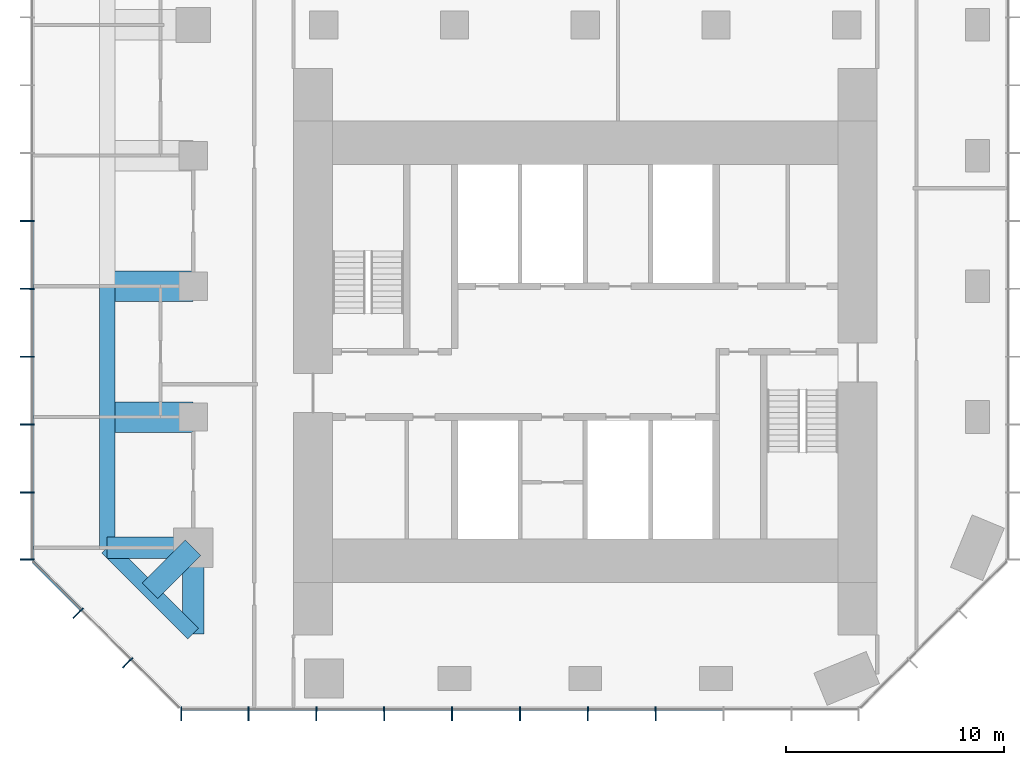
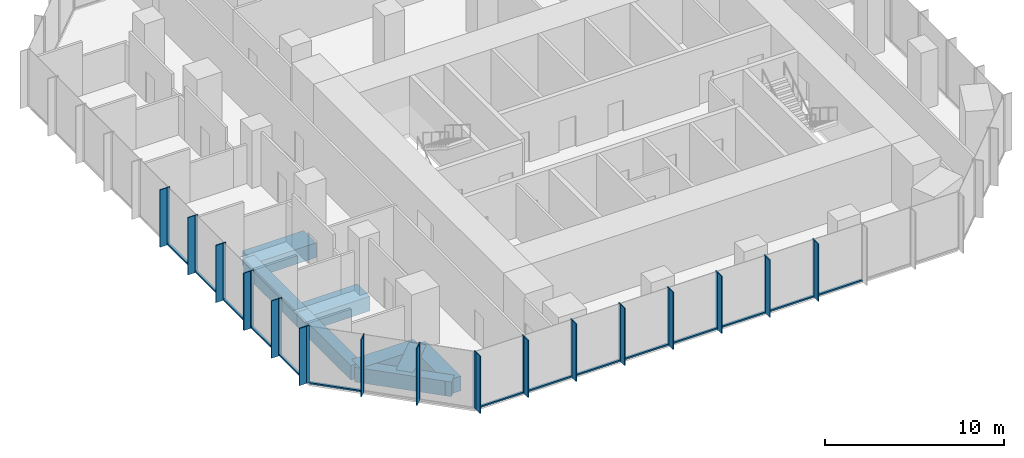
# One storey, part 2 of 11: 46 members, 8 beams, 3 elements without a shape of their own.
"""IFC4 building model written with IfcOpenShell, lengths in metres."""

from ifc_helpers import new_model, si_unit, direction, frame, origin, origin_2d, place, context, subcontext, project, spatial, rectangle, extrude, material, layer, layer_set, material_profile, profile_set, type_object, element, aggregate, save


model = new_model("IFC4")

# Units and contexts
model_context = context("Model", 3, precision=1e-05, world=origin(), true_north=direction((0.0, 1.0)))
body_context = subcontext(model_context, "Body", "Model", "MODEL_VIEW")
ifc_project = project(units=[si_unit("LENGTHUNIT", "METRE"), si_unit("AREAUNIT", "SQUARE_METRE"), si_unit("VOLUMEUNIT", "CUBIC_METRE"), si_unit("PLANEANGLEUNIT", "RADIAN"), si_unit("MASSUNIT", "GRAM", prefix="KILO")], contexts=[model_context])

# Site, building, storey
site_placement = place(None, origin())
site = spatial("IfcSite", under=ifc_project, at=site_placement, CompositionType="ELEMENT")
building_placement = place(site_placement, origin())
building = spatial("IfcBuilding", under=site, at=building_placement, Name="Highveld Stack Headquarters", CompositionType="ELEMENT")
storey_placement = place(building_placement, frame((0.0, 0.0, 196.699951171875)))
storey = spatial("IfcBuildingStorey", under=building, at=storey_placement, Name="L48", CompositionType="ELEMENT", Elevation=196.699951171875)

# Beams
ifc_material_1 = material(Name="Concrete C60/75", Category="concrete")
ifc_material_profile_1 = material_profile(ifc_material_1, rectangle(XDim=1.0, YDim=1.0, at=origin_2d()), Name="RC 1000x1000")
ifc_profile_set_1 = profile_set([ifc_material_profile_1], Name="Concrete C60/75")
beam_type_1 = type_object("IfcBeamType", Name="CANTILEVER RIB RC 1000x1000", PredefinedType="USERDEFINED", material=ifc_profile_set_1)
for number, where, z_axis, x_axis, name in (
    (1, (-12.0, -6.0, -0.75), (-1.0, 0.0, 0.0), (0.0, -1.0, 0.0), "Cantilever rib 4/D L48"),
    (2, (-12.0, -6.0, -0.75), (0.0, -1.0, 0.0), (1.0, 0.0, 0.0), "Cantilever rib 4/D L48"),
):
    element("IfcBeam", number, at=place(storey_placement, frame(where, z_axis=z_axis, x_axis=x_axis)), inside=storey, type_object=beam_type_1, Name=name, ObjectType="CANTILEVER RIB", PredefinedType="USERDEFINED", context=body_context, shape_type="SweptSolid", body=[
        extrude(rectangle(XDim=1.0, YDim=1.0, at=origin_2d()), origin(), (0.0, 0.0, 1.0), 3.949951171875),
    ])
beam_1_placement = place(storey_placement, frame((-12.0, -6.0, -0.75), z_axis=(-0.707106781187, -0.707106781187, 0.0), x_axis=(0.707106781187, -0.707106781187, 0.0)))
element("IfcBeam", 3, at=beam_1_placement, inside=storey, type_object=beam_type_1, Name="Cantilever rib 4/D L48", ObjectType="CANTILEVER RIB", PredefinedType="USERDEFINED", context=body_context, shape_type="SweptSolid", body=[
    extrude(rectangle(XDim=1.0, YDim=1.0, at=origin_2d()), origin(), (0.0, 0.0, 1.0), 2.793212890625),
])
ifc_material_2 = material(Name="Concrete C60/75", Category="concrete")
ifc_material_profile_2 = material_profile(ifc_material_2, rectangle(XDim=1.39990234375, YDim=1.0, at=origin_2d()), Name="RC 1400x1000")
ifc_profile_set_2 = profile_set([ifc_material_profile_2], Name="Concrete C60/75")
beam_type_2 = type_object("IfcBeamType", Name="CANTILEVER RIB RC 1400x1000", PredefinedType="USERDEFINED", material=ifc_profile_set_2)
for number, where, z_axis, x_axis, name in (
    (4, (-12.0, 0.0, -0.75), (-1.0, 0.0, 0.0), (0.0, -1.0, 0.0), "Cantilever rib 4/E L48"),
    (5, (-12.0, 6.0, -0.75), (-1.0, 0.0, 0.0), (0.0, -1.0, 0.0), "Cantilever rib 4/F L48"),
):
    element("IfcBeam", number, at=place(storey_placement, frame(where, z_axis=z_axis, x_axis=x_axis)), inside=storey, type_object=beam_type_2, Name=name, ObjectType="CANTILEVER RIB", PredefinedType="USERDEFINED", context=body_context, shape_type="SweptSolid", body=[
        extrude(rectangle(XDim=1.39990234375, YDim=1.0, at=origin_2d()), origin(), (0.0, 0.0, 1.0), 3.949951171875),
    ])

# Curtain wall, members
ifc_material_3 = material(Name="Aluminium bronze anodised", Category="aluminium")
ifc_layer_1 = layer(ifc_material_3, 0.199951171875)
ifc_layer_set_1 = layer_set([ifc_layer_1], Name="Aluminium bronze anodised")
curtain_wall_type_1 = type_object("IfcCurtainWallType", Name="CW1 TOWER UNITISED CURTAIN WALL", PredefinedType="NOTDEFINED", material=ifc_layer_set_1)
curtain_wall_1_placement = place(storey_placement, origin())
curtain_wall_1 = element("IfcCurtainWall", 6, at=curtain_wall_1_placement, inside=storey, type_object=curtain_wall_type_1, Name="Curtain wall CW1 L48 S", PredefinedType="NOTDEFINED")
ifc_material_4 = material(Name="Aluminium bronze anodised", Category="aluminium")
ifc_material_profile_3 = material_profile(ifc_material_4, rectangle(XDim=0.449951171875, YDim=0.06005859375, at=origin_2d()), Name="FIN 450x60")
ifc_profile_set_3 = profile_set([ifc_material_profile_3], Name="Aluminium bronze anodised")
member_type_1 = type_object("IfcMemberType", Name="CW1 BRONZE FIN 450x60", PredefinedType="USERDEFINED", material=ifc_profile_set_3)
member_1_placement = place(storey_placement, frame((-12.54736328125, -13.72509765625, 0.0), z_axis=(0.0, 0.0, 1.0), x_axis=(0.0, 1.0, 0.0)))
member_1 = element("IfcMember", 7, at=member_1_placement, type_object=member_type_1, Name="CW1 fin L48 1", ObjectType="FIN", PredefinedType="USERDEFINED", context=body_context, shape_type="SweptSolid", body=[
    extrude(rectangle(XDim=0.449951171875, YDim=0.06005859375, at=origin_2d()), origin(), (0.0, 0.0, 1.0), 3.900146484375),
])
member_2_placement = place(storey_placement, frame((-9.4638671875, -13.72509765625, 0.0), z_axis=(0.0, 0.0, 1.0), x_axis=(0.0, 1.0, 0.0)))
member_2 = element("IfcMember", 8, at=member_2_placement, type_object=member_type_1, Name="CW1 fin L48 2", ObjectType="FIN", PredefinedType="USERDEFINED", context=body_context, shape_type="SweptSolid", body=[
    extrude(rectangle(XDim=0.449951171875, YDim=0.06005859375, at=origin_2d()), origin(), (0.0, 0.0, 1.0), 3.900146484375),
])
member_3_placement = place(storey_placement, frame((-6.347900390625, -13.72509765625, 0.0), z_axis=(0.0, 0.0, 1.0), x_axis=(0.0, 1.0, 0.0)))
member_3 = element("IfcMember", 9, at=member_3_placement, type_object=member_type_1, Name="CW1 fin L48 3", ObjectType="FIN", PredefinedType="USERDEFINED", context=body_context, shape_type="SweptSolid", body=[
    extrude(rectangle(XDim=0.449951171875, YDim=0.06005859375, at=origin_2d()), origin(), (0.0, 0.0, 1.0), 3.900146484375),
])
member_4_placement = place(storey_placement, frame((-3.23193359375, -13.72509765625, 0.0), z_axis=(0.0, 0.0, 1.0), x_axis=(0.0, 1.0, 0.0)))
member_4 = element("IfcMember", 10, at=member_4_placement, type_object=member_type_1, Name="CW1 fin L48 4", ObjectType="FIN", PredefinedType="USERDEFINED", context=body_context, shape_type="SweptSolid", body=[
    extrude(rectangle(XDim=0.449951171875, YDim=0.06005859375, at=origin_2d()), origin(), (0.0, 0.0, 1.0), 3.900146484375),
])
member_5_placement = place(storey_placement, frame((-0.115966796875, -13.72509765625, 0.0), z_axis=(0.0, 0.0, 1.0), x_axis=(0.0, 1.0, 0.0)))
member_5 = element("IfcMember", 11, at=member_5_placement, type_object=member_type_1, Name="CW1 fin L48 5", ObjectType="FIN", PredefinedType="USERDEFINED", context=body_context, shape_type="SweptSolid", body=[
    extrude(rectangle(XDim=0.449951171875, YDim=0.06005859375, at=origin_2d()), origin(), (0.0, 0.0, 1.0), 3.900146484375),
])
member_6_placement = place(storey_placement, frame((3.0, -13.72509765625, 0.0), z_axis=(0.0, 0.0, 1.0), x_axis=(0.0, 1.0, 0.0)))
member_6 = element("IfcMember", 12, at=member_6_placement, type_object=member_type_1, Name="CW1 fin L48 6", ObjectType="FIN", PredefinedType="USERDEFINED", context=body_context, shape_type="SweptSolid", body=[
    extrude(rectangle(XDim=0.449951171875, YDim=0.06005859375, at=origin_2d()), origin(), (0.0, 0.0, 1.0), 3.900146484375),
])
member_7_placement = place(storey_placement, frame((6.115966796875, -13.72509765625, 0.0), z_axis=(0.0, 0.0, 1.0), x_axis=(0.0, 1.0, 0.0)))
member_7 = element("IfcMember", 13, at=member_7_placement, type_object=member_type_1, Name="CW1 fin L48 7", ObjectType="FIN", PredefinedType="USERDEFINED", context=body_context, shape_type="SweptSolid", body=[
    extrude(rectangle(XDim=0.449951171875, YDim=0.06005859375, at=origin_2d()), origin(), (0.0, 0.0, 1.0), 3.900146484375),
])
member_8_placement = place(storey_placement, frame((9.23193359375, -13.72509765625, 0.0), z_axis=(0.0, 0.0, 1.0), x_axis=(0.0, 1.0, 0.0)))
member_8 = element("IfcMember", 14, at=member_8_placement, type_object=member_type_1, Name="CW1 fin L48 8", ObjectType="FIN", PredefinedType="USERDEFINED", context=body_context, shape_type="SweptSolid", body=[
    extrude(rectangle(XDim=0.449951171875, YDim=0.06005859375, at=origin_2d()), origin(), (0.0, 0.0, 1.0), 3.900146484375),
])

curtain_wall_2_placement = place(storey_placement, origin())
curtain_wall_2 = element("IfcCurtainWall", 15, at=curtain_wall_2_placement, inside=storey, type_object=curtain_wall_type_1, Name="Curtain wall CW1 L48 W", PredefinedType="NOTDEFINED")
member_9_placement = place(storey_placement, frame((-19.72509765625, 9.0, 0.0), z_axis=(0.0, 0.0, 1.0), x_axis=(1.0, 0.0, 0.0)))
member_9 = element("IfcMember", 16, at=member_9_placement, type_object=member_type_1, Name="CW1 fin L48 6", ObjectType="FIN", PredefinedType="USERDEFINED", context=body_context, shape_type="SweptSolid", body=[
    extrude(rectangle(XDim=0.449951171875, YDim=0.06005859375, at=origin_2d()), origin(), (0.0, 0.0, 1.0), 3.900146484375),
])
member_10_placement = place(storey_placement, frame((-19.72509765625, 5.884033203125, 0.0), z_axis=(0.0, 0.0, 1.0), x_axis=(1.0, 0.0, 0.0)))
member_10 = element("IfcMember", 17, at=member_10_placement, type_object=member_type_1, Name="CW1 fin L48 7", ObjectType="FIN", PredefinedType="USERDEFINED", context=body_context, shape_type="SweptSolid", body=[
    extrude(rectangle(XDim=0.449951171875, YDim=0.06005859375, at=origin_2d()), origin(), (0.0, 0.0, 1.0), 3.900146484375),
])
member_11_placement = place(storey_placement, frame((-19.72509765625, 2.76806640625, 0.0), z_axis=(0.0, 0.0, 1.0), x_axis=(1.0, 0.0, 0.0)))
member_11 = element("IfcMember", 18, at=member_11_placement, type_object=member_type_1, Name="CW1 fin L48 8", ObjectType="FIN", PredefinedType="USERDEFINED", context=body_context, shape_type="SweptSolid", body=[
    extrude(rectangle(XDim=0.449951171875, YDim=0.06005859375, at=origin_2d()), origin(), (0.0, 0.0, 1.0), 3.900146484375),
])
member_12_placement = place(storey_placement, frame((-19.72509765625, -0.347900390625, 0.0), z_axis=(0.0, 0.0, 1.0), x_axis=(1.0, 0.0, 0.0)))
member_12 = element("IfcMember", 19, at=member_12_placement, type_object=member_type_1, Name="CW1 fin L48 9", ObjectType="FIN", PredefinedType="USERDEFINED", context=body_context, shape_type="SweptSolid", body=[
    extrude(rectangle(XDim=0.449951171875, YDim=0.06005859375, at=origin_2d()), origin(), (0.0, 0.0, 1.0), 3.900146484375),
])
member_13_placement = place(storey_placement, frame((-19.72509765625, -3.4638671875, 0.0), z_axis=(0.0, 0.0, 1.0), x_axis=(1.0, 0.0, 0.0)))
member_13 = element("IfcMember", 20, at=member_13_placement, type_object=member_type_1, Name="CW1 fin L48 10", ObjectType="FIN", PredefinedType="USERDEFINED", context=body_context, shape_type="SweptSolid", body=[
    extrude(rectangle(XDim=0.449951171875, YDim=0.06005859375, at=origin_2d()), origin(), (0.0, 0.0, 1.0), 3.900146484375),
])
member_14_placement = place(storey_placement, frame((-19.72509765625, -6.54736328125, 0.0), z_axis=(0.0, 0.0, 1.0), x_axis=(1.0, 0.0, 0.0)))
member_14 = element("IfcMember", 21, at=member_14_placement, type_object=member_type_1, Name="CW1 fin L48 11", ObjectType="FIN", PredefinedType="USERDEFINED", context=body_context, shape_type="SweptSolid", body=[
    extrude(rectangle(XDim=0.449951171875, YDim=0.06005859375, at=origin_2d()), origin(), (0.0, 0.0, 1.0), 3.900146484375),
])

# Member
ifc_material_5 = material(Name="Aluminium bronze anodised", Category="aluminium")
ifc_material_profile_4 = material_profile(ifc_material_5, rectangle(XDim=0.199951171875, YDim=0.06494140625, at=origin_2d()), Name="CW1 MULLION 65x200")
ifc_profile_set_4 = profile_set([ifc_material_profile_4], Name="Aluminium bronze anodised")
member_type_2 = type_object("IfcMemberType", Name="CW1 MULLION 65x200", PredefinedType="MULLION", material=ifc_profile_set_4)
member_15_placement = place(storey_placement, frame((-12.54736328125, -13.39990234375, 0.0), z_axis=(0.0, 0.0, 1.0), x_axis=(0.0, 1.0, 0.0)))
member_15 = element("IfcMember", 22, at=member_15_placement, type_object=member_type_2, Name="CW1 mullion L48 1", PredefinedType="MULLION", context=body_context, shape_type="SweptSolid", body=[
    extrude(rectangle(XDim=0.199951171875, YDim=0.06494140625, at=origin_2d()), origin(), (0.0, 0.0, 1.0), 3.900146484375),
])

member_16_placement = place(storey_placement, frame((-9.4638671875, -13.39990234375, 0.0), z_axis=(0.0, 0.0, 1.0), x_axis=(0.0, 1.0, 0.0)))
member_16 = element("IfcMember", 23, at=member_16_placement, type_object=member_type_2, Name="CW1 mullion L48 2", PredefinedType="MULLION", context=body_context, shape_type="SweptSolid", body=[
    extrude(rectangle(XDim=0.199951171875, YDim=0.06494140625, at=origin_2d()), origin(), (0.0, 0.0, 1.0), 3.900146484375),
])

member_17_placement = place(storey_placement, frame((-6.347900390625, -13.39990234375, 0.0), z_axis=(0.0, 0.0, 1.0), x_axis=(0.0, 1.0, 0.0)))
member_17 = element("IfcMember", 24, at=member_17_placement, type_object=member_type_2, Name="CW1 mullion L48 3", PredefinedType="MULLION", context=body_context, shape_type="SweptSolid", body=[
    extrude(rectangle(XDim=0.199951171875, YDim=0.06494140625, at=origin_2d()), origin(), (0.0, 0.0, 1.0), 3.900146484375),
])

member_18_placement = place(storey_placement, frame((-3.23193359375, -13.39990234375, 0.0), z_axis=(0.0, 0.0, 1.0), x_axis=(0.0, 1.0, 0.0)))
member_18 = element("IfcMember", 25, at=member_18_placement, type_object=member_type_2, Name="CW1 mullion L48 4", PredefinedType="MULLION", context=body_context, shape_type="SweptSolid", body=[
    extrude(rectangle(XDim=0.199951171875, YDim=0.06494140625, at=origin_2d()), origin(), (0.0, 0.0, 1.0), 3.900146484375),
])

member_19_placement = place(storey_placement, frame((-0.115966796875, -13.39990234375, 0.0), z_axis=(0.0, 0.0, 1.0), x_axis=(0.0, 1.0, 0.0)))
member_19 = element("IfcMember", 26, at=member_19_placement, type_object=member_type_2, Name="CW1 mullion L48 5", PredefinedType="MULLION", context=body_context, shape_type="SweptSolid", body=[
    extrude(rectangle(XDim=0.199951171875, YDim=0.06494140625, at=origin_2d()), origin(), (0.0, 0.0, 1.0), 3.900146484375),
])

member_20_placement = place(storey_placement, frame((3.0, -13.39990234375, 0.0), z_axis=(0.0, 0.0, 1.0), x_axis=(0.0, 1.0, 0.0)))
member_20 = element("IfcMember", 27, at=member_20_placement, type_object=member_type_2, Name="CW1 mullion L48 6", PredefinedType="MULLION", context=body_context, shape_type="SweptSolid", body=[
    extrude(rectangle(XDim=0.199951171875, YDim=0.06494140625, at=origin_2d()), origin(), (0.0, 0.0, 1.0), 3.900146484375),
])

member_21_placement = place(storey_placement, frame((6.115966796875, -13.39990234375, 0.0), z_axis=(0.0, 0.0, 1.0), x_axis=(0.0, 1.0, 0.0)))
member_21 = element("IfcMember", 28, at=member_21_placement, type_object=member_type_2, Name="CW1 mullion L48 7", PredefinedType="MULLION", context=body_context, shape_type="SweptSolid", body=[
    extrude(rectangle(XDim=0.199951171875, YDim=0.06494140625, at=origin_2d()), origin(), (0.0, 0.0, 1.0), 3.900146484375),
])

member_22_placement = place(storey_placement, frame((9.23193359375, -13.39990234375, 0.0), z_axis=(0.0, 0.0, 1.0), x_axis=(0.0, 1.0, 0.0)))
member_22 = element("IfcMember", 29, at=member_22_placement, type_object=member_type_2, Name="CW1 mullion L48 8", PredefinedType="MULLION", context=body_context, shape_type="SweptSolid", body=[
    extrude(rectangle(XDim=0.199951171875, YDim=0.06494140625, at=origin_2d()), origin(), (0.0, 0.0, 1.0), 3.900146484375),
])

member_23_placement = place(storey_placement, frame((-19.39990234375, 9.0, 0.0), z_axis=(0.0, 0.0, 1.0), x_axis=(1.0, 0.0, 0.0)))
member_23 = element("IfcMember", 30, at=member_23_placement, type_object=member_type_2, Name="CW1 mullion L48 6", PredefinedType="MULLION", context=body_context, shape_type="SweptSolid", body=[
    extrude(rectangle(XDim=0.199951171875, YDim=0.06494140625, at=origin_2d()), origin(), (0.0, 0.0, 1.0), 3.900146484375),
])

member_24_placement = place(storey_placement, frame((-19.39990234375, 5.884033203125, 0.0), z_axis=(0.0, 0.0, 1.0), x_axis=(1.0, 0.0, 0.0)))
member_24 = element("IfcMember", 31, at=member_24_placement, type_object=member_type_2, Name="CW1 mullion L48 7", PredefinedType="MULLION", context=body_context, shape_type="SweptSolid", body=[
    extrude(rectangle(XDim=0.199951171875, YDim=0.06494140625, at=origin_2d()), origin(), (0.0, 0.0, 1.0), 3.900146484375),
])

member_25_placement = place(storey_placement, frame((-19.39990234375, 2.76806640625, 0.0), z_axis=(0.0, 0.0, 1.0), x_axis=(1.0, 0.0, 0.0)))
member_25 = element("IfcMember", 32, at=member_25_placement, type_object=member_type_2, Name="CW1 mullion L48 8", PredefinedType="MULLION", context=body_context, shape_type="SweptSolid", body=[
    extrude(rectangle(XDim=0.199951171875, YDim=0.06494140625, at=origin_2d()), origin(), (0.0, 0.0, 1.0), 3.900146484375),
])

member_26_placement = place(storey_placement, frame((-19.39990234375, -0.347900390625, 0.0), z_axis=(0.0, 0.0, 1.0), x_axis=(1.0, 0.0, 0.0)))
member_26 = element("IfcMember", 33, at=member_26_placement, type_object=member_type_2, Name="CW1 mullion L48 9", PredefinedType="MULLION", context=body_context, shape_type="SweptSolid", body=[
    extrude(rectangle(XDim=0.199951171875, YDim=0.06494140625, at=origin_2d()), origin(), (0.0, 0.0, 1.0), 3.900146484375),
])

member_27_placement = place(storey_placement, frame((-19.39990234375, -3.4638671875, 0.0), z_axis=(0.0, 0.0, 1.0), x_axis=(1.0, 0.0, 0.0)))
member_27 = element("IfcMember", 34, at=member_27_placement, type_object=member_type_2, Name="CW1 mullion L48 10", PredefinedType="MULLION", context=body_context, shape_type="SweptSolid", body=[
    extrude(rectangle(XDim=0.199951171875, YDim=0.06494140625, at=origin_2d()), origin(), (0.0, 0.0, 1.0), 3.900146484375),
])

member_28_placement = place(storey_placement, frame((-19.39990234375, -6.54736328125, 0.0), z_axis=(0.0, 0.0, 1.0), x_axis=(1.0, 0.0, 0.0)))
member_28 = element("IfcMember", 35, at=member_28_placement, type_object=member_type_2, Name="CW1 mullion L48 11", PredefinedType="MULLION", context=body_context, shape_type="SweptSolid", body=[
    extrude(rectangle(XDim=0.199951171875, YDim=0.06494140625, at=origin_2d()), origin(), (0.0, 0.0, 1.0), 3.900146484375),
])

ifc_material_6 = material(Name="Aluminium bronze anodised", Category="aluminium")
ifc_material_profile_5 = material_profile(ifc_material_6, rectangle(XDim=0.14990234375, YDim=0.10009765625, at=origin_2d()), Name="CW1 TRANSOM 150x100")
ifc_profile_set_5 = profile_set([ifc_material_profile_5], Name="Aluminium bronze anodised")
member_type_3 = type_object("IfcMemberType", Name="CW1 STACK TRANSOM 150x100", PredefinedType="USERDEFINED", material=ifc_profile_set_5)
member_29_placement = place(storey_placement, frame((-12.514892578125, -13.39990234375, 0.050048828125), z_axis=(1.0, 0.0, 0.0), x_axis=(0.0, 1.0, 0.0)))
member_29 = element("IfcMember", 36, at=member_29_placement, type_object=member_type_3, Name="CW1 transom L48 1.1", ObjectType="TRANSOM", PredefinedType="USERDEFINED", context=body_context, shape_type="SweptSolid", body=[
    extrude(rectangle(XDim=0.14990234375, YDim=0.10009765625, at=origin_2d()), origin(), (0.0, 0.0, 1.0), 3.0185546875),
])

member_30_placement = place(storey_placement, frame((-9.431396484375, -13.39990234375, 0.050048828125), z_axis=(1.0, 0.0, 0.0), x_axis=(0.0, 1.0, 0.0)))
member_30 = element("IfcMember", 37, at=member_30_placement, type_object=member_type_3, Name="CW1 transom L48 2.1", ObjectType="TRANSOM", PredefinedType="USERDEFINED", context=body_context, shape_type="SweptSolid", body=[
    extrude(rectangle(XDim=0.14990234375, YDim=0.10009765625, at=origin_2d()), origin(), (0.0, 0.0, 1.0), 3.051025390625),
])

member_31_placement = place(storey_placement, frame((-6.3154296875, -13.39990234375, 0.050048828125), z_axis=(1.0, 0.0, 0.0), x_axis=(0.0, 1.0, 0.0)))
member_31 = element("IfcMember", 38, at=member_31_placement, type_object=member_type_3, Name="CW1 transom L48 3.1", ObjectType="TRANSOM", PredefinedType="USERDEFINED", context=body_context, shape_type="SweptSolid", body=[
    extrude(rectangle(XDim=0.14990234375, YDim=0.10009765625, at=origin_2d()), origin(), (0.0, 0.0, 1.0), 3.051025390625),
])

member_32_placement = place(storey_placement, frame((-3.199462890625, -13.39990234375, 0.050048828125), z_axis=(1.0, 0.0, 0.0), x_axis=(0.0, 1.0, 0.0)))
member_32 = element("IfcMember", 39, at=member_32_placement, type_object=member_type_3, Name="CW1 transom L48 4.1", ObjectType="TRANSOM", PredefinedType="USERDEFINED", context=body_context, shape_type="SweptSolid", body=[
    extrude(rectangle(XDim=0.14990234375, YDim=0.10009765625, at=origin_2d()), origin(), (0.0, 0.0, 1.0), 3.051025390625),
])

member_33_placement = place(storey_placement, frame((-0.08349609375, -13.39990234375, 0.050048828125), z_axis=(1.0, 0.0, 0.0), x_axis=(0.0, 1.0, 0.0)))
member_33 = element("IfcMember", 40, at=member_33_placement, type_object=member_type_3, Name="CW1 transom L48 5.1", ObjectType="TRANSOM", PredefinedType="USERDEFINED", context=body_context, shape_type="SweptSolid", body=[
    extrude(rectangle(XDim=0.14990234375, YDim=0.10009765625, at=origin_2d()), origin(), (0.0, 0.0, 1.0), 3.051025390625),
])

member_34_placement = place(storey_placement, frame((3.032470703125, -13.39990234375, 0.050048828125), z_axis=(1.0, 0.0, 0.0), x_axis=(0.0, 1.0, 0.0)))
member_34 = element("IfcMember", 41, at=member_34_placement, type_object=member_type_3, Name="CW1 transom L48 6.1", ObjectType="TRANSOM", PredefinedType="USERDEFINED", context=body_context, shape_type="SweptSolid", body=[
    extrude(rectangle(XDim=0.14990234375, YDim=0.10009765625, at=origin_2d()), origin(), (0.0, 0.0, 1.0), 3.051025390625),
])

member_35_placement = place(storey_placement, frame((6.1484375, -13.39990234375, 0.050048828125), z_axis=(1.0, 0.0, 0.0), x_axis=(0.0, 1.0, 0.0)))
member_35 = element("IfcMember", 42, at=member_35_placement, type_object=member_type_3, Name="CW1 transom L48 7.1", ObjectType="TRANSOM", PredefinedType="USERDEFINED", context=body_context, shape_type="SweptSolid", body=[
    extrude(rectangle(XDim=0.14990234375, YDim=0.10009765625, at=origin_2d()), origin(), (0.0, 0.0, 1.0), 3.051025390625),
])

member_36_placement = place(storey_placement, frame((9.264404296875, -13.39990234375, 0.050048828125), z_axis=(1.0, 0.0, 0.0), x_axis=(0.0, 1.0, 0.0)))
member_36 = element("IfcMember", 43, at=member_36_placement, type_object=member_type_3, Name="CW1 transom L48 8.1", ObjectType="TRANSOM", PredefinedType="USERDEFINED", context=body_context, shape_type="SweptSolid", body=[
    extrude(rectangle(XDim=0.14990234375, YDim=0.10009765625, at=origin_2d()), origin(), (0.0, 0.0, 1.0), 3.051025390625),
])

aggregate(curtain_wall_1, [member_15, member_1, member_16, member_2, member_17, member_3, member_18, member_4, member_19, member_5, member_20, member_6, member_21, member_7, member_22, member_8, member_29, member_30, member_31, member_32, member_33, member_34, member_35, member_36])

member_37_placement = place(storey_placement, frame((-19.39990234375, 8.967529296875, 0.050048828125), z_axis=(0.0, -1.0, 0.0), x_axis=(1.0, 0.0, 0.0)))
member_37 = element("IfcMember", 44, at=member_37_placement, type_object=member_type_3, Name="CW1 transom L48 6.1", ObjectType="TRANSOM", PredefinedType="USERDEFINED", context=body_context, shape_type="SweptSolid", body=[
    extrude(rectangle(XDim=0.14990234375, YDim=0.10009765625, at=origin_2d()), origin(), (0.0, 0.0, 1.0), 3.051025390625),
])

member_38_placement = place(storey_placement, frame((-19.39990234375, 5.8515625, 0.050048828125), z_axis=(0.0, -1.0, 0.0), x_axis=(1.0, 0.0, 0.0)))
member_38 = element("IfcMember", 45, at=member_38_placement, type_object=member_type_3, Name="CW1 transom L48 7.1", ObjectType="TRANSOM", PredefinedType="USERDEFINED", context=body_context, shape_type="SweptSolid", body=[
    extrude(rectangle(XDim=0.14990234375, YDim=0.10009765625, at=origin_2d()), origin(), (0.0, 0.0, 1.0), 3.051025390625),
])

member_39_placement = place(storey_placement, frame((-19.39990234375, 2.735595703125, 0.050048828125), z_axis=(0.0, -1.0, 0.0), x_axis=(1.0, 0.0, 0.0)))
member_39 = element("IfcMember", 46, at=member_39_placement, type_object=member_type_3, Name="CW1 transom L48 8.1", ObjectType="TRANSOM", PredefinedType="USERDEFINED", context=body_context, shape_type="SweptSolid", body=[
    extrude(rectangle(XDim=0.14990234375, YDim=0.10009765625, at=origin_2d()), origin(), (0.0, 0.0, 1.0), 3.051025390625),
])

member_40_placement = place(storey_placement, frame((-19.39990234375, -0.38037109375, 0.050048828125), z_axis=(0.0, -1.0, 0.0), x_axis=(1.0, 0.0, 0.0)))
member_40 = element("IfcMember", 47, at=member_40_placement, type_object=member_type_3, Name="CW1 transom L48 9.1", ObjectType="TRANSOM", PredefinedType="USERDEFINED", context=body_context, shape_type="SweptSolid", body=[
    extrude(rectangle(XDim=0.14990234375, YDim=0.10009765625, at=origin_2d()), origin(), (0.0, 0.0, 1.0), 3.051025390625),
])

member_41_placement = place(storey_placement, frame((-19.39990234375, -3.496337890625, 0.050048828125), z_axis=(0.0, -1.0, 0.0), x_axis=(1.0, 0.0, 0.0)))
member_41 = element("IfcMember", 48, at=member_41_placement, type_object=member_type_3, Name="CW1 transom L48 10.1", ObjectType="TRANSOM", PredefinedType="USERDEFINED", context=body_context, shape_type="SweptSolid", body=[
    extrude(rectangle(XDim=0.14990234375, YDim=0.10009765625, at=origin_2d()), origin(), (0.0, 0.0, 1.0), 3.0185546875),
])

aggregate(curtain_wall_2, [member_23, member_9, member_24, member_10, member_25, member_11, member_26, member_12, member_27, member_13, member_28, member_14, member_37, member_38, member_39, member_40, member_41])

# Curtain wall, members
ifc_material_7 = material(Name="Aluminium bronze anodised", Category="aluminium")
ifc_layer_2 = layer(ifc_material_7, 0.199951171875)
ifc_layer_set_2 = layer_set([ifc_layer_2], Name="Aluminium bronze anodised")
curtain_wall_type_2 = type_object("IfcCurtainWallType", Name="CW2 TOWER CHAMFER UNITISED CURTAIN WALL", PredefinedType="NOTDEFINED", material=ifc_layer_set_2)
curtain_wall_3_placement = place(storey_placement, origin())
curtain_wall_3 = element("IfcCurtainWall", 49, at=curtain_wall_3_placement, inside=storey, type_object=curtain_wall_type_2, Name="Curtain wall CW2 L48 SW", PredefinedType="NOTDEFINED")
ifc_material_8 = material(Name="Aluminium bronze anodised", Category="aluminium")
ifc_material_profile_6 = material_profile(ifc_material_8, rectangle(XDim=0.449951171875, YDim=0.06005859375, at=origin_2d()), Name="FIN 450x60")
ifc_profile_set_6 = profile_set([ifc_material_profile_6], Name="Aluminium bronze anodised")
member_type_4 = type_object("IfcMemberType", Name="CW2 BRONZE FIN 450x60", PredefinedType="USERDEFINED", material=ifc_profile_set_6)
member_42_placement = place(storey_placement, frame((-17.3564453125, -9.0830078125, 0.0), z_axis=(0.0, 0.0, 1.0), x_axis=(0.707106781187, 0.707106781187, 0.0)))
member_42 = element("IfcMember", 50, at=member_42_placement, type_object=member_type_4, Name="CW2 fin L48 1", ObjectType="FIN", PredefinedType="USERDEFINED", context=body_context, shape_type="SweptSolid", body=[
    extrude(rectangle(XDim=0.449951171875, YDim=0.06005859375, at=origin_2d()), origin(), (0.0, 0.0, 1.0), 3.900146484375),
])
member_43_placement = place(storey_placement, frame((-15.0830078125, -11.3564453125, 0.0), z_axis=(0.0, 0.0, 1.0), x_axis=(0.707106781187, 0.707106781187, 0.0)))
member_43 = element("IfcMember", 51, at=member_43_placement, type_object=member_type_4, Name="CW2 fin L48 2", ObjectType="FIN", PredefinedType="USERDEFINED", context=body_context, shape_type="SweptSolid", body=[
    extrude(rectangle(XDim=0.449951171875, YDim=0.06005859375, at=origin_2d()), origin(), (0.0, 0.0, 1.0), 3.900146484375),
])
ifc_material_9 = material(Name="Aluminium bronze anodised", Category="aluminium")
ifc_material_profile_7 = material_profile(ifc_material_9, rectangle(XDim=0.199951171875, YDim=0.06494140625, at=origin_2d()), Name="CW2 MULLION 65x200")
ifc_profile_set_7 = profile_set([ifc_material_profile_7], Name="Aluminium bronze anodised")
member_type_5 = type_object("IfcMemberType", Name="CW2 MULLION 65x200", PredefinedType="MULLION", material=ifc_profile_set_7)
member_44_placement = place(storey_placement, frame((-17.126708984375, -8.853271484375, 0.0), z_axis=(0.0, 0.0, 1.0), x_axis=(0.707106781187, 0.707106781187, 0.0)))
member_44 = element("IfcMember", 52, at=member_44_placement, type_object=member_type_5, Name="CW2 mullion L48 1", PredefinedType="MULLION", context=body_context, shape_type="SweptSolid", body=[
    extrude(rectangle(XDim=0.199951171875, YDim=0.06494140625, at=origin_2d()), origin(), (0.0, 0.0, 1.0), 3.900146484375),
])
member_45_placement = place(storey_placement, frame((-14.853271484375, -11.126708984375, 0.0), z_axis=(0.0, 0.0, 1.0), x_axis=(0.707106781187, 0.707106781187, 0.0)))
member_45 = element("IfcMember", 53, at=member_45_placement, type_object=member_type_5, Name="CW2 mullion L48 2", PredefinedType="MULLION", context=body_context, shape_type="SweptSolid", body=[
    extrude(rectangle(XDim=0.199951171875, YDim=0.06494140625, at=origin_2d()), origin(), (0.0, 0.0, 1.0), 3.900146484375),
])
ifc_material_10 = material(Name="Aluminium bronze anodised", Category="aluminium")
ifc_material_profile_8 = material_profile(ifc_material_10, rectangle(XDim=0.14990234375, YDim=0.10009765625, at=origin_2d()), Name="CW2 TRANSOM 150x100")
ifc_profile_set_8 = profile_set([ifc_material_profile_8], Name="Aluminium bronze anodised")
member_type_6 = type_object("IfcMemberType", Name="CW2 STACK TRANSOM 150x100", PredefinedType="USERDEFINED", material=ifc_profile_set_8)
member_46_placement = place(storey_placement, frame((-19.329345703125, -6.650634765625, 0.050048828125), z_axis=(0.707106781187, -0.707106781187, 0.0), x_axis=(0.707106781187, 0.707106781187, 0.0)))
member_46 = element("IfcMember", 54, at=member_46_placement, type_object=member_type_6, Name="CW2 transom L48 1.1", ObjectType="TRANSOM", PredefinedType="USERDEFINED", context=body_context, shape_type="SweptSolid", body=[
    extrude(rectangle(XDim=0.14990234375, YDim=0.10009765625, at=origin_2d()), origin(), (0.0, 0.0, 1.0), 3.08251953125),
])
aggregate(curtain_wall_3, [member_44, member_42, member_45, member_43, member_46])

# Beams
ifc_material_11 = material(Name="Concrete C60/75", Category="concrete")
ifc_material_profile_9 = material_profile(ifc_material_11, rectangle(XDim=0.699951171875, YDim=1.0, at=origin_2d()), Name="RC 700x1000")
ifc_profile_set_9 = profile_set([ifc_material_profile_9], Name="Concrete C60/75")
beam_type_3 = type_object("IfcBeamType", Name="RIB TIP BEAM RC 700x1000", PredefinedType="SPANDREL", material=ifc_profile_set_9)
for number, where, z_axis, x_axis, name in (
    (55, (-15.949951171875, -6.0, -0.75), (0.0, 1.0, 0.0), (-1.0, 0.0, 0.0), "Rib tip beam 4/D to 4/E L48"),
    (56, (-15.949951171875, 0.0, -0.75), (0.0, 1.0, 0.0), (-1.0, 0.0, 0.0), "Rib tip beam 4/E to 4/F L48"),
):
    element("IfcBeam", number, at=place(storey_placement, frame(where, z_axis=z_axis, x_axis=x_axis)), inside=storey, type_object=beam_type_3, Name=name, PredefinedType="SPANDREL", context=body_context, shape_type="SweptSolid", body=[
        extrude(rectangle(XDim=0.699951171875, YDim=1.0, at=origin_2d()), origin(), (0.0, 0.0, 1.0), 6.0),
    ])
beam_2_placement = place(storey_placement, frame((-15.949951171875, -6.0, -0.75), z_axis=(0.707106781187, -0.707106781187, 0.0), x_axis=(0.707106781187, 0.707106781187, 0.0)))
element("IfcBeam", 57, at=beam_2_placement, inside=storey, type_object=beam_type_3, Name="Rib tip beam 4/D corner L48", PredefinedType="SPANDREL", context=body_context, shape_type="SweptSolid", body=[
    extrude(rectangle(XDim=0.699951171875, YDim=1.0, at=origin_2d()), origin(), (0.0, 0.0, 1.0), 5.586181640625),
])

save(model, "model.ifc")
